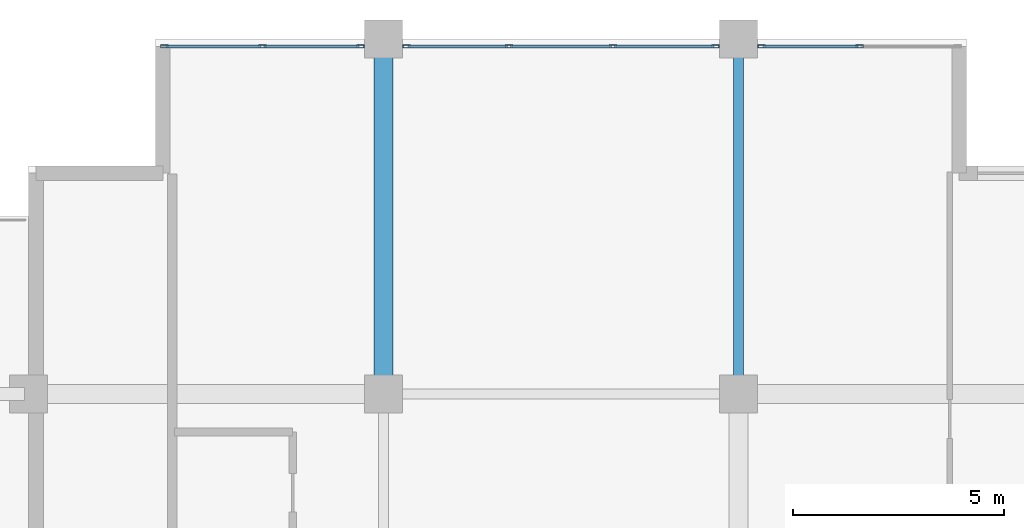
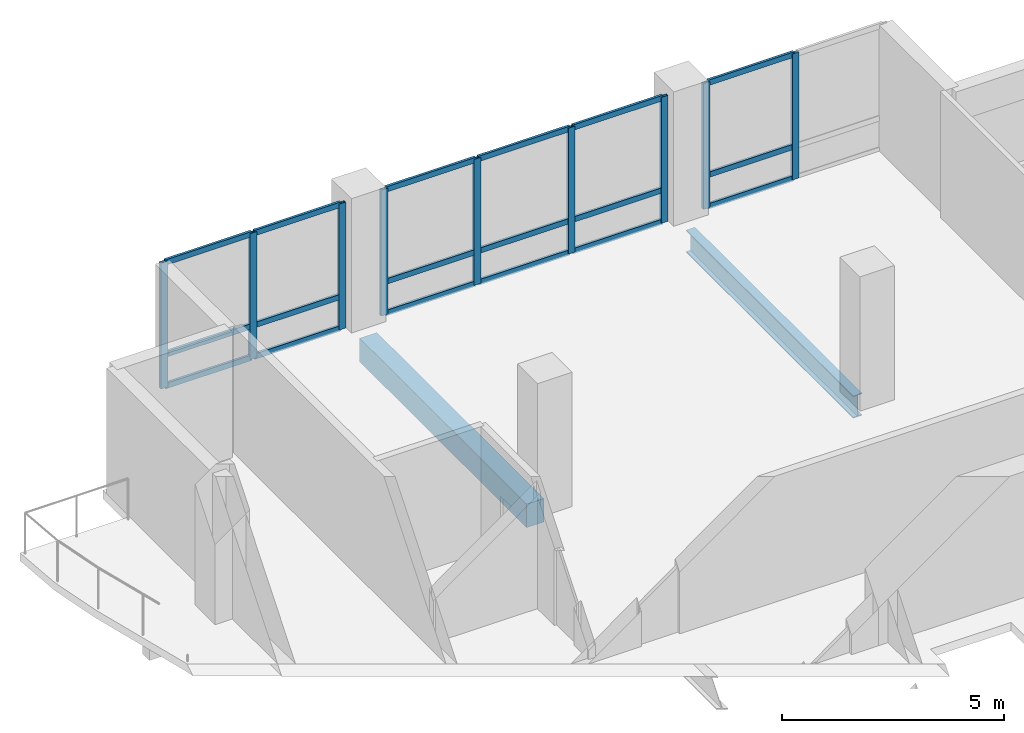
# One storey, part 3 of 16: 27 members, 2 beams, 3 elements without a shape of their own.
"""IFC4 building model written with IfcOpenShell, lengths in metres."""

from ifc_helpers import new_model, si_unit, direction, frame, origin, origin_2d, place, context, subcontext, project, spatial, rectangle, hollow_rectangle, i_section, extrude, material, layer, layer_set, material_profile, profile_set, type_object, element, aggregate, save


model = new_model("IFC4")

# Units and contexts
model_context = context("Model", 3, precision=1e-05, world=origin(), true_north=direction((0.0, 1.0)))
body_context = subcontext(model_context, "Body", "Model", "MODEL_VIEW")
ifc_project = project(units=[si_unit("LENGTHUNIT", "METRE"), si_unit("AREAUNIT", "SQUARE_METRE"), si_unit("VOLUMEUNIT", "CUBIC_METRE"), si_unit("PLANEANGLEUNIT", "RADIAN"), si_unit("MASSUNIT", "GRAM", prefix="KILO")], contexts=[model_context])

# Site, building, storey
site_placement = place(None, origin())
site = spatial("IfcSite", under=ifc_project, at=site_placement, CompositionType="ELEMENT")
building_placement = place(site_placement, origin())
building = spatial("IfcBuilding", under=site, at=building_placement, Name="Koriwani Terraces Tower", CompositionType="ELEMENT")
storey_placement = place(building_placement, frame((0.0, 0.0, 252.699951171875)))
storey = spatial("IfcBuildingStorey", under=building, at=storey_placement, Name="L62", CompositionType="ELEMENT", Elevation=252.699951171875)

# Beam
ifc_material_1 = material(Name="Concrete C50/60", Category="concrete")
ifc_material_profile_1 = material_profile(ifc_material_1, rectangle(XDim=0.449951171875, YDim=0.64990234375, at=origin_2d()), Name="Concrete C50/60", Category="LoadBearing")
ifc_profile_set_1 = profile_set([ifc_material_profile_1], Name="Concrete C50/60")
beam_type_1 = type_object("IfcBeamType", Name="BEAM_RC_GRID_450X650", PredefinedType="BEAM", material=ifc_profile_set_1)
beam_1_placement = place(storey_placement, frame((16.800048828125, 67.6298828125, -0.554931640625), z_axis=(0.0, 1.0, 0.0), x_axis=(-1.0, 0.0, 0.0)))
element("IfcBeam", 1, at=beam_1_placement, inside=storey, type_object=beam_type_1, Name="L62 Grid Beam 3 (67.2-75.6m)", PredefinedType="BEAM", context=body_context, shape_type="SweptSolid", body=[
    extrude(rectangle(XDim=0.449951171875, YDim=0.64990234375, at=origin_2d()), origin(), (0.0, 0.0, 1.0), 7.5400390625),
])

# Curtain wall, members
ifc_material_2 = material(Name="Anodised Bronze Aluminium", Category="aluminium")
ifc_layer = layer(ifc_material_2, 0.169921875, Name="Anodised Bronze Aluminium")
ifc_layer_set = layer_set([ifc_layer], Name="Anodised Bronze Aluminium")
curtain_wall_type = type_object("IfcCurtainWallType", Name="CW_RES_ZONE4", PredefinedType="NOTDEFINED", material=ifc_layer_set)
curtain_wall_1_placement = place(storey_placement, origin())
curtain_wall_1 = element("IfcCurtainWall", 2, at=curtain_wall_1_placement, inside=storey, type_object=curtain_wall_type, Name="L62 Unitised Curtain Wall (N_TIP) Bay 1", PredefinedType="NOTDEFINED")
ifc_material_profile_2 = material_profile(ifc_material_2, hollow_rectangle(XDim=0.074951171875, YDim=0.179931640625, WallThickness=0.006103515625, at=origin_2d()), Name="Anodised Bronze Aluminium", Category="LoadBearing")
ifc_profile_set_2 = profile_set([ifc_material_profile_2], Name="Anodised Bronze Aluminium")
member_type_1 = type_object("IfcMemberType", Name="CW_MULLION_180X75", PredefinedType="MULLION", material=ifc_profile_set_2)
member_1_placement = place(storey_placement, frame((11.612548828125, 75.425048828125, 0.0), z_axis=(0.0, 0.0, 1.0), x_axis=(0.0, 1.0, 0.0)))
member_1 = element("IfcMember", 3, at=member_1_placement, type_object=member_type_1, Name="CW-Z4 mullion 1", PredefinedType="MULLION", context=body_context, shape_type="SweptSolid", body=[
    extrude(hollow_rectangle(XDim=0.074951171875, YDim=0.179931640625, WallThickness=0.006103515625, at=origin_2d()), origin(), (0.0, 0.0, 1.0), 3.469970703125),
])
member_2_placement = place(storey_placement, frame((13.9326171875, 75.425048828125, 0.0), z_axis=(0.0, 0.0, 1.0), x_axis=(0.0, 1.0, 0.0)))
member_2 = element("IfcMember", 4, at=member_2_placement, type_object=member_type_1, Name="CW-Z4 mullion 2", PredefinedType="MULLION", context=body_context, shape_type="SweptSolid", body=[
    extrude(hollow_rectangle(XDim=0.074951171875, YDim=0.179931640625, WallThickness=0.006103515625, at=origin_2d()), origin(), (0.0, 0.0, 1.0), 3.469970703125),
])
member_3_placement = place(storey_placement, frame((16.25244140625, 75.425048828125, 0.0), z_axis=(0.0, 0.0, 1.0), x_axis=(0.0, 1.0, 0.0)))
member_3 = element("IfcMember", 5, at=member_3_placement, type_object=member_type_1, Name="CW-Z4 mullion 3", PredefinedType="MULLION", context=body_context, shape_type="SweptSolid", body=[
    extrude(hollow_rectangle(XDim=0.074951171875, YDim=0.179931640625, WallThickness=0.006103515625, at=origin_2d()), origin(), (0.0, 0.0, 1.0), 3.469970703125),
])

curtain_wall_2_placement = place(storey_placement, origin())
curtain_wall_2 = element("IfcCurtainWall", 6, at=curtain_wall_2_placement, inside=storey, type_object=curtain_wall_type, Name="L62 Unitised Curtain Wall (N_TIP) Bay 2", PredefinedType="NOTDEFINED")
member_4_placement = place(storey_placement, frame((17.347412109375, 75.425048828125, 0.0), z_axis=(0.0, 0.0, 1.0), x_axis=(0.0, 1.0, 0.0)))
member_4 = element("IfcMember", 7, at=member_4_placement, type_object=member_type_1, Name="CW-Z4 mullion 1", PredefinedType="MULLION", context=body_context, shape_type="SweptSolid", body=[
    extrude(hollow_rectangle(XDim=0.074951171875, YDim=0.179931640625, WallThickness=0.006103515625, at=origin_2d()), origin(), (0.0, 0.0, 1.0), 3.469970703125),
])
member_5_placement = place(storey_placement, frame((19.77001953125, 75.425048828125, 0.0), z_axis=(0.0, 0.0, 1.0), x_axis=(0.0, 1.0, 0.0)))
member_5 = element("IfcMember", 8, at=member_5_placement, type_object=member_type_1, Name="CW-Z4 mullion 2", PredefinedType="MULLION", context=body_context, shape_type="SweptSolid", body=[
    extrude(hollow_rectangle(XDim=0.074951171875, YDim=0.179931640625, WallThickness=0.006103515625, at=origin_2d()), origin(), (0.0, 0.0, 1.0), 3.469970703125),
])
member_6_placement = place(storey_placement, frame((22.22998046875, 75.425048828125, 0.0), z_axis=(0.0, 0.0, 1.0), x_axis=(0.0, 1.0, 0.0)))
member_6 = element("IfcMember", 9, at=member_6_placement, type_object=member_type_1, Name="CW-Z4 mullion 3", PredefinedType="MULLION", context=body_context, shape_type="SweptSolid", body=[
    extrude(hollow_rectangle(XDim=0.074951171875, YDim=0.179931640625, WallThickness=0.006103515625, at=origin_2d()), origin(), (0.0, 0.0, 1.0), 3.469970703125),
])
member_7_placement = place(storey_placement, frame((24.652587890625, 75.425048828125, 0.0), z_axis=(0.0, 0.0, 1.0), x_axis=(0.0, 1.0, 0.0)))
member_7 = element("IfcMember", 10, at=member_7_placement, type_object=member_type_1, Name="CW-Z4 mullion 4", PredefinedType="MULLION", context=body_context, shape_type="SweptSolid", body=[
    extrude(hollow_rectangle(XDim=0.074951171875, YDim=0.179931640625, WallThickness=0.006103515625, at=origin_2d()), origin(), (0.0, 0.0, 1.0), 3.469970703125),
])

curtain_wall_3_placement = place(storey_placement, origin())
curtain_wall_3 = element("IfcCurtainWall", 11, at=curtain_wall_3_placement, inside=storey, type_object=curtain_wall_type, Name="L62 Unitised Curtain Wall (N_TIP) Bay 3", PredefinedType="NOTDEFINED")
member_8_placement = place(storey_placement, frame((25.74755859375, 75.425048828125, 0.0), z_axis=(0.0, 0.0, 1.0), x_axis=(0.0, 1.0, 0.0)))
member_8 = element("IfcMember", 12, at=member_8_placement, type_object=member_type_1, Name="CW-Z4 mullion 1", PredefinedType="MULLION", context=body_context, shape_type="SweptSolid", body=[
    extrude(hollow_rectangle(XDim=0.074951171875, YDim=0.179931640625, WallThickness=0.006103515625, at=origin_2d()), origin(), (0.0, 0.0, 1.0), 3.469970703125),
])
member_9_placement = place(storey_placement, frame((28.0673828125, 75.425048828125, 0.0), z_axis=(0.0, 0.0, 1.0), x_axis=(0.0, 1.0, 0.0)))
member_9 = element("IfcMember", 13, at=member_9_placement, type_object=member_type_1, Name="CW-Z4 mullion 2", PredefinedType="MULLION", context=body_context, shape_type="SweptSolid", body=[
    extrude(hollow_rectangle(XDim=0.074951171875, YDim=0.179931640625, WallThickness=0.006103515625, at=origin_2d()), origin(), (0.0, 0.0, 1.0), 3.469970703125),
])

# Member
ifc_material_profile_3 = material_profile(ifc_material_2, hollow_rectangle(XDim=0.06494140625, YDim=0.14990234375, WallThickness=0.0048828125, at=origin_2d()), Name="Anodised Bronze Aluminium", Category="LoadBearing")
ifc_profile_set_3 = profile_set([ifc_material_profile_3], Name="Anodised Bronze Aluminium")
member_type_2 = type_object("IfcMemberType", Name="CW_TRANSOM_150X65", PredefinedType="USERDEFINED", material=ifc_profile_set_3)
member_10_placement = place(storey_placement, frame((11.64990234375, 75.425048828125, 0.032470703125), z_axis=(1.0, 0.0, 0.0), x_axis=(0.0, 1.0, 0.0)))
member_10 = element("IfcMember", 14, at=member_10_placement, type_object=member_type_2, Name="CW-Z4 transom 1.1", ObjectType="TRANSOM", PredefinedType="USERDEFINED", context=body_context, shape_type="SweptSolid", body=[
    extrude(hollow_rectangle(XDim=0.06494140625, YDim=0.14990234375, WallThickness=0.0048828125, at=origin_2d()), origin(), (0.0, 0.0, 1.0), 2.2451171875),
])

member_11_placement = place(storey_placement, frame((11.64990234375, 75.425048828125, 0.900146484375), z_axis=(1.0, 0.0, 0.0), x_axis=(0.0, 1.0, 0.0)))
member_11 = element("IfcMember", 15, at=member_11_placement, type_object=member_type_2, Name="CW-Z4 transom 1.2", ObjectType="TRANSOM", PredefinedType="USERDEFINED", context=body_context, shape_type="SweptSolid", body=[
    extrude(hollow_rectangle(XDim=0.06494140625, YDim=0.14990234375, WallThickness=0.0048828125, at=origin_2d()), origin(), (0.0, 0.0, 1.0), 2.2451171875),
])

member_12_placement = place(storey_placement, frame((11.64990234375, 75.425048828125, 3.4375), z_axis=(1.0, 0.0, 0.0), x_axis=(0.0, 1.0, 0.0)))
member_12 = element("IfcMember", 16, at=member_12_placement, type_object=member_type_2, Name="CW-Z4 transom 1.3", ObjectType="TRANSOM", PredefinedType="USERDEFINED", context=body_context, shape_type="SweptSolid", body=[
    extrude(hollow_rectangle(XDim=0.06494140625, YDim=0.14990234375, WallThickness=0.0048828125, at=origin_2d()), origin(), (0.0, 0.0, 1.0), 2.2451171875),
])

member_13_placement = place(storey_placement, frame((13.969970703125, 75.425048828125, 0.032470703125), z_axis=(1.0, 0.0, 0.0), x_axis=(0.0, 1.0, 0.0)))
member_13 = element("IfcMember", 17, at=member_13_placement, type_object=member_type_2, Name="CW-Z4 transom 2.1", ObjectType="TRANSOM", PredefinedType="USERDEFINED", context=body_context, shape_type="SweptSolid", body=[
    extrude(hollow_rectangle(XDim=0.06494140625, YDim=0.14990234375, WallThickness=0.0048828125, at=origin_2d()), origin(), (0.0, 0.0, 1.0), 2.2451171875),
])

member_14_placement = place(storey_placement, frame((13.969970703125, 75.425048828125, 0.900146484375), z_axis=(1.0, 0.0, 0.0), x_axis=(0.0, 1.0, 0.0)))
member_14 = element("IfcMember", 18, at=member_14_placement, type_object=member_type_2, Name="CW-Z4 transom 2.2", ObjectType="TRANSOM", PredefinedType="USERDEFINED", context=body_context, shape_type="SweptSolid", body=[
    extrude(hollow_rectangle(XDim=0.06494140625, YDim=0.14990234375, WallThickness=0.0048828125, at=origin_2d()), origin(), (0.0, 0.0, 1.0), 2.2451171875),
])

member_15_placement = place(storey_placement, frame((13.969970703125, 75.425048828125, 3.4375), z_axis=(1.0, 0.0, 0.0), x_axis=(0.0, 1.0, 0.0)))
member_15 = element("IfcMember", 19, at=member_15_placement, type_object=member_type_2, Name="CW-Z4 transom 2.3", ObjectType="TRANSOM", PredefinedType="USERDEFINED", context=body_context, shape_type="SweptSolid", body=[
    extrude(hollow_rectangle(XDim=0.06494140625, YDim=0.14990234375, WallThickness=0.0048828125, at=origin_2d()), origin(), (0.0, 0.0, 1.0), 2.2451171875),
])

aggregate(curtain_wall_1, [member_1, member_2, member_3, member_10, member_11, member_12, member_13, member_14, member_15])

member_16_placement = place(storey_placement, frame((17.385009765625, 75.425048828125, 0.032470703125), z_axis=(1.0, 0.0, 0.0), x_axis=(0.0, 1.0, 0.0)))
member_16 = element("IfcMember", 20, at=member_16_placement, type_object=member_type_2, Name="CW-Z4 transom 1.1", ObjectType="TRANSOM", PredefinedType="USERDEFINED", context=body_context, shape_type="SweptSolid", body=[
    extrude(hollow_rectangle(XDim=0.06494140625, YDim=0.14990234375, WallThickness=0.0048828125, at=origin_2d()), origin(), (0.0, 0.0, 1.0), 2.347412109375),
])

member_17_placement = place(storey_placement, frame((17.385009765625, 75.425048828125, 0.900146484375), z_axis=(1.0, 0.0, 0.0), x_axis=(0.0, 1.0, 0.0)))
member_17 = element("IfcMember", 21, at=member_17_placement, type_object=member_type_2, Name="CW-Z4 transom 1.2", ObjectType="TRANSOM", PredefinedType="USERDEFINED", context=body_context, shape_type="SweptSolid", body=[
    extrude(hollow_rectangle(XDim=0.06494140625, YDim=0.14990234375, WallThickness=0.0048828125, at=origin_2d()), origin(), (0.0, 0.0, 1.0), 2.347412109375),
])

member_18_placement = place(storey_placement, frame((17.385009765625, 75.425048828125, 3.4375), z_axis=(1.0, 0.0, 0.0), x_axis=(0.0, 1.0, 0.0)))
member_18 = element("IfcMember", 22, at=member_18_placement, type_object=member_type_2, Name="CW-Z4 transom 1.3", ObjectType="TRANSOM", PredefinedType="USERDEFINED", context=body_context, shape_type="SweptSolid", body=[
    extrude(hollow_rectangle(XDim=0.06494140625, YDim=0.14990234375, WallThickness=0.0048828125, at=origin_2d()), origin(), (0.0, 0.0, 1.0), 2.347412109375),
])

member_19_placement = place(storey_placement, frame((19.8076171875, 75.425048828125, 0.032470703125), z_axis=(1.0, 0.0, 0.0), x_axis=(0.0, 1.0, 0.0)))
member_19 = element("IfcMember", 23, at=member_19_placement, type_object=member_type_2, Name="CW-Z4 transom 2.1", ObjectType="TRANSOM", PredefinedType="USERDEFINED", context=body_context, shape_type="SweptSolid", body=[
    extrude(hollow_rectangle(XDim=0.06494140625, YDim=0.14990234375, WallThickness=0.0048828125, at=origin_2d()), origin(), (0.0, 0.0, 1.0), 2.384765625),
])

member_20_placement = place(storey_placement, frame((19.8076171875, 75.425048828125, 0.900146484375), z_axis=(1.0, 0.0, 0.0), x_axis=(0.0, 1.0, 0.0)))
member_20 = element("IfcMember", 24, at=member_20_placement, type_object=member_type_2, Name="CW-Z4 transom 2.2", ObjectType="TRANSOM", PredefinedType="USERDEFINED", context=body_context, shape_type="SweptSolid", body=[
    extrude(hollow_rectangle(XDim=0.06494140625, YDim=0.14990234375, WallThickness=0.0048828125, at=origin_2d()), origin(), (0.0, 0.0, 1.0), 2.384765625),
])

member_21_placement = place(storey_placement, frame((19.8076171875, 75.425048828125, 3.4375), z_axis=(1.0, 0.0, 0.0), x_axis=(0.0, 1.0, 0.0)))
member_21 = element("IfcMember", 25, at=member_21_placement, type_object=member_type_2, Name="CW-Z4 transom 2.3", ObjectType="TRANSOM", PredefinedType="USERDEFINED", context=body_context, shape_type="SweptSolid", body=[
    extrude(hollow_rectangle(XDim=0.06494140625, YDim=0.14990234375, WallThickness=0.0048828125, at=origin_2d()), origin(), (0.0, 0.0, 1.0), 2.384765625),
])

member_22_placement = place(storey_placement, frame((22.267578125, 75.425048828125, 0.032470703125), z_axis=(1.0, 0.0, 0.0), x_axis=(0.0, 1.0, 0.0)))
member_22 = element("IfcMember", 26, at=member_22_placement, type_object=member_type_2, Name="CW-Z4 transom 3.1", ObjectType="TRANSOM", PredefinedType="USERDEFINED", context=body_context, shape_type="SweptSolid", body=[
    extrude(hollow_rectangle(XDim=0.06494140625, YDim=0.14990234375, WallThickness=0.0048828125, at=origin_2d()), origin(), (0.0, 0.0, 1.0), 2.347412109375),
])

member_23_placement = place(storey_placement, frame((22.267578125, 75.425048828125, 0.900146484375), z_axis=(1.0, 0.0, 0.0), x_axis=(0.0, 1.0, 0.0)))
member_23 = element("IfcMember", 27, at=member_23_placement, type_object=member_type_2, Name="CW-Z4 transom 3.2", ObjectType="TRANSOM", PredefinedType="USERDEFINED", context=body_context, shape_type="SweptSolid", body=[
    extrude(hollow_rectangle(XDim=0.06494140625, YDim=0.14990234375, WallThickness=0.0048828125, at=origin_2d()), origin(), (0.0, 0.0, 1.0), 2.347412109375),
])

member_24_placement = place(storey_placement, frame((22.267578125, 75.425048828125, 3.4375), z_axis=(1.0, 0.0, 0.0), x_axis=(0.0, 1.0, 0.0)))
member_24 = element("IfcMember", 28, at=member_24_placement, type_object=member_type_2, Name="CW-Z4 transom 3.3", ObjectType="TRANSOM", PredefinedType="USERDEFINED", context=body_context, shape_type="SweptSolid", body=[
    extrude(hollow_rectangle(XDim=0.06494140625, YDim=0.14990234375, WallThickness=0.0048828125, at=origin_2d()), origin(), (0.0, 0.0, 1.0), 2.347412109375),
])

aggregate(curtain_wall_2, [member_4, member_5, member_6, member_7, member_16, member_17, member_18, member_19, member_20, member_21, member_22, member_23, member_24])

member_25_placement = place(storey_placement, frame((25.784912109375, 75.425048828125, 0.032470703125), z_axis=(1.0, 0.0, 0.0), x_axis=(0.0, 1.0, 0.0)))
member_25 = element("IfcMember", 29, at=member_25_placement, type_object=member_type_2, Name="CW-Z4 transom 1.1", ObjectType="TRANSOM", PredefinedType="USERDEFINED", context=body_context, shape_type="SweptSolid", body=[
    extrude(hollow_rectangle(XDim=0.06494140625, YDim=0.14990234375, WallThickness=0.0048828125, at=origin_2d()), origin(), (0.0, 0.0, 1.0), 2.2451171875),
])

member_26_placement = place(storey_placement, frame((25.784912109375, 75.425048828125, 0.900146484375), z_axis=(1.0, 0.0, 0.0), x_axis=(0.0, 1.0, 0.0)))
member_26 = element("IfcMember", 30, at=member_26_placement, type_object=member_type_2, Name="CW-Z4 transom 1.2", ObjectType="TRANSOM", PredefinedType="USERDEFINED", context=body_context, shape_type="SweptSolid", body=[
    extrude(hollow_rectangle(XDim=0.06494140625, YDim=0.14990234375, WallThickness=0.0048828125, at=origin_2d()), origin(), (0.0, 0.0, 1.0), 2.2451171875),
])

member_27_placement = place(storey_placement, frame((25.784912109375, 75.425048828125, 3.4375), z_axis=(1.0, 0.0, 0.0), x_axis=(0.0, 1.0, 0.0)))
member_27 = element("IfcMember", 31, at=member_27_placement, type_object=member_type_2, Name="CW-Z4 transom 1.3", ObjectType="TRANSOM", PredefinedType="USERDEFINED", context=body_context, shape_type="SweptSolid", body=[
    extrude(hollow_rectangle(XDim=0.06494140625, YDim=0.14990234375, WallThickness=0.0048828125, at=origin_2d()), origin(), (0.0, 0.0, 1.0), 2.2451171875),
])

aggregate(curtain_wall_3, [member_8, member_9, member_25, member_26, member_27])

# Beam
ifc_material_3 = material(Name="Steel ASTM A572 Grade 50", Category="steel")
ifc_material_profile_4 = material_profile(ifc_material_3, i_section(OverallWidth=0.23095703125, OverallDepth=0.616943359375, WebThickness=0.015380859375, FlangeThickness=0.0244140625, at=origin_2d()), Name="Steel ASTM A572 Grade 50", Category="LoadBearing")
ifc_profile_set_4 = profile_set([ifc_material_profile_4], Name="Steel ASTM A572 Grade 50")
beam_type_2 = type_object("IfcBeamType", Name="STEEL_BEAM_W610X195", PredefinedType="BEAM", material=ifc_profile_set_4)
beam_2_placement = place(storey_placement, frame((25.199951171875, 67.6298828125, -0.538330078125), z_axis=(0.0, 1.0, 0.0), x_axis=(-1.0, 0.0, 0.0)))
element("IfcBeam", 32, at=beam_2_placement, inside=storey, type_object=beam_type_2, Name="L62 Grid Beam 4 (67.2-75.6m)", PredefinedType="BEAM", context=body_context, shape_type="SweptSolid", body=[
    extrude(i_section(OverallWidth=0.23095703125, OverallDepth=0.616943359375, WebThickness=0.015380859375, FlangeThickness=0.0244140625, at=origin_2d()), origin(), (0.0, 0.0, 1.0), 7.5400390625),
])

save(model, "model.ifc")
